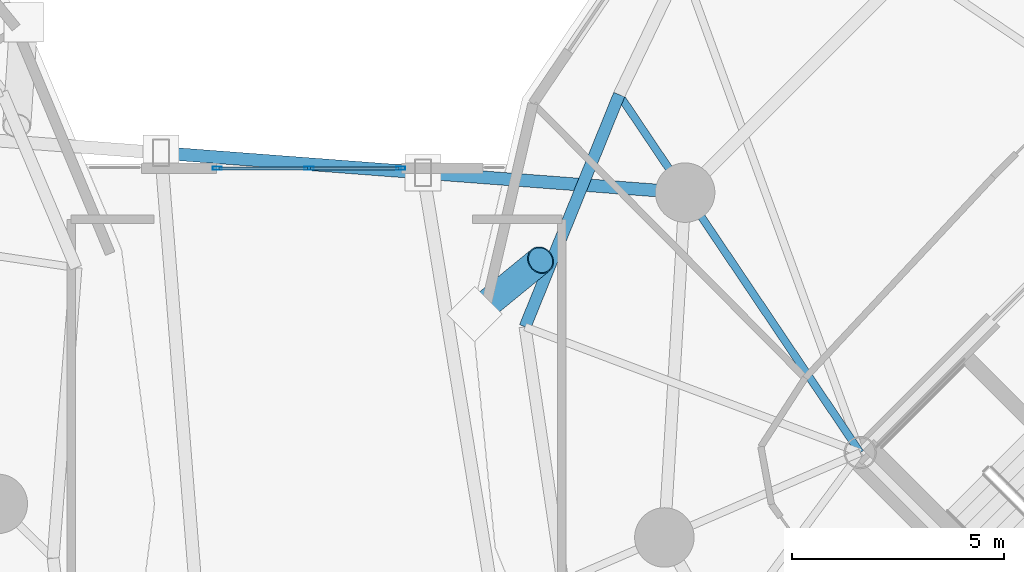
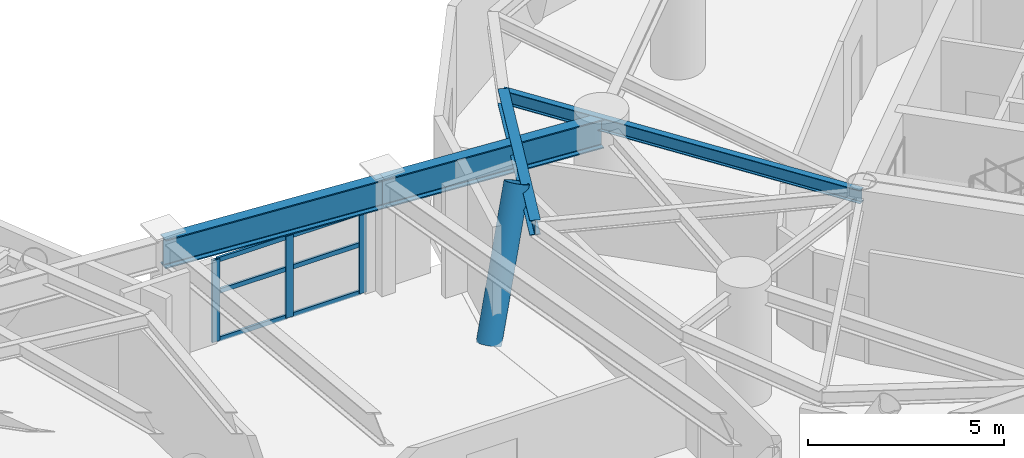
# One storey, part 6 of 20: 10 members, 4 beams, 1 element without a shape of its own.
"""IFC4 building model written with IfcOpenShell, lengths in metres."""

from ifc_helpers import new_model, si_unit, direction, frame, origin, origin_2d, place, context, subcontext, project, spatial, hollow_rectangle, hollow_circle, i_section, extrude, material, layer, layer_set, material_profile, profile_set, type_object, element, aggregate, save


model = new_model("IFC4")

# Units and contexts
model_context = context("Model", 3, precision=1e-05, world=origin(), true_north=direction((0.0, 1.0)))
body_context = subcontext(model_context, "Body", "Model", "MODEL_VIEW")
ifc_project = project(units=[si_unit("LENGTHUNIT", "METRE"), si_unit("AREAUNIT", "SQUARE_METRE"), si_unit("VOLUMEUNIT", "CUBIC_METRE"), si_unit("PLANEANGLEUNIT", "RADIAN"), si_unit("MASSUNIT", "GRAM", prefix="KILO")], contexts=[model_context])

# Site, building, storey
site_placement = place(None, origin())
site = spatial("IfcSite", under=ifc_project, at=site_placement, CompositionType="ELEMENT")
building_placement = place(site_placement, origin())
building = spatial("IfcBuilding", under=site, at=building_placement, Name="Cununo Teusaquillo Station Towers", CompositionType="ELEMENT")
storey_placement = place(building_placement, frame((0.0, 0.0, 140.320068359375)))
storey = spatial("IfcBuildingStorey", under=building, at=storey_placement, Name="L44", CompositionType="ELEMENT", Elevation=140.320068359375)

# Beams
ifc_material_1 = material(Name="Steel EN 10025-2 S355J2", Category="steel")
ifc_material_profile_1 = material_profile(ifc_material_1, i_section(OverallWidth=0.300048828125, OverallDepth=0.89990234375, WebThickness=0.0185546875, FlangeThickness=0.034912109375, FilletRadius=0.027099609375, at=origin_2d()), Name="HEB 900")
ifc_profile_set_1 = profile_set([ifc_material_profile_1], Name="Steel EN 10025-2 S355J2")
beam_type_1 = type_object("IfcBeamType", Name="BM-BRG-CH2", PredefinedType="BEAM", material=ifc_profile_set_1)
beam_1_placement = place(storey_placement, frame((32.51611328125, 32.761474609375, 3.02001953125), z_axis=(0.997143183449, -0.075534572886, 0.0), x_axis=(0.075534572886, 0.997143183449, 0.0)))
element("IfcBeam", 1, at=beam_1_placement, inside=storey, type_object=beam_type_1, Name="L44 Mid-Bridge Chord N2", PredefinedType="BEAM", context=body_context, shape_type="SweptSolid", body=[
    extrude(i_section(OverallWidth=0.300048828125, OverallDepth=0.89990234375, WebThickness=0.0185546875, FlangeThickness=0.034912109375, FilletRadius=0.027099609375, at=origin_2d()), origin(), (0.0, 0.0, 1.0), 6.186279296875),
])
beam_2_placement = place(storey_placement, frame((38.684814453125, 32.294189453125, 3.02001953125), z_axis=(0.997143408598, -0.075531600604, 0.0), x_axis=(0.075531600604, 0.997143408598, 0.0)))
element("IfcBeam", 2, at=beam_2_placement, inside=storey, type_object=beam_type_1, Name="L44 Mid-Bridge Chord N3", PredefinedType="BEAM", context=body_context, shape_type="SweptSolid", body=[
    extrude(i_section(OverallWidth=0.300048828125, OverallDepth=0.89990234375, WebThickness=0.0185546875, FlangeThickness=0.034912109375, FilletRadius=0.027099609375, at=origin_2d()), origin(), (0.0, 0.0, 1.0), 6.1865234375),
])
ifc_material_2 = material(Name="Steel ASTM A572 Grade 50", Category="steel")
ifc_material_profile_2 = material_profile(ifc_material_2, i_section(OverallWidth=0.180908203125, OverallDepth=0.4169921875, WebThickness=0.010986328125, FlangeThickness=0.018310546875, FilletRadius=0.012939453125, at=origin_2d()), Name="W16X57")
ifc_profile_set_2 = profile_set([ifc_material_profile_2], Name="Steel ASTM A572 Grade 50")
beam_type_2 = type_object("IfcBeamType", Name="BM-RAD-G2", PredefinedType="BEAM", material=ifc_profile_set_2)
beam_3_placement = place(storey_placement, frame((48.975830078125, 25.70556640625, 3.271484375), z_axis=(-0.558570687133, 0.829456923219, 0.0), x_axis=(-0.829456923219, -0.558570687133, 0.0)))
element("IfcBeam", 3, at=beam_3_placement, inside=storey, type_object=beam_type_2, Name="L44 Tower B Continuous Overhanging Radial Girder 04", PredefinedType="BEAM", context=body_context, shape_type="SweptSolid", body=[
    extrude(i_section(OverallWidth=0.180908203125, OverallDepth=0.4169921875, WebThickness=0.010986328125, FlangeThickness=0.018310546875, FilletRadius=0.012939453125, at=origin_2d()), origin(), (0.0, 0.0, 1.0), 10.1591796875),
])
ifc_material_3 = material(Name="Steel ASTM A572 Grade 50", Category="steel")
ifc_material_profile_3 = material_profile(ifc_material_3, i_section(OverallWidth=0.280029296875, OverallDepth=0.462890625, WebThickness=0.0107421875, FlangeThickness=0.017333984375, FilletRadius=0.013916015625, at=origin_2d()), Name="W18X76")
ifc_profile_set_3 = profile_set([ifc_material_profile_3], Name="Steel ASTM A572 Grade 50")
beam_type_3 = type_object("IfcBeamType", Name="BM-RING-Z2", PredefinedType="SPANDREL", material=ifc_profile_set_3)
beam_4_placement = place(storey_placement, frame((43.30126953125, 34.132080078125, 3.24853515625), z_axis=(-0.375882869104, -0.926667183359, 0.0), x_axis=(0.926667183359, -0.375882869104, 0.0)))
element("IfcBeam", 4, at=beam_4_placement, inside=storey, type_object=beam_type_3, Name="L44 Tower B Spandrel Ring Beam 07", PredefinedType="SPANDREL", context=body_context, shape_type="SweptSolid", body=[
    extrude(i_section(OverallWidth=0.280029296875, OverallDepth=0.462890625, WebThickness=0.0107421875, FlangeThickness=0.017333984375, FilletRadius=0.013916015625, at=origin_2d()), origin(), (0.0, 0.0, 1.0), 5.8974609375),
])

# Curtain wall, members
ifc_material_4 = material(Name="Ceramic-fritted dark low-E double glazing", Category="glass")
ifc_layer = layer(ifc_material_4, 0.179931640625)
ifc_layer_set = layer_set([ifc_layer], Name="Ceramic-fritted dark low-E double glazing")
curtain_wall_type = type_object("IfcCurtainWallType", Name="CW-SYS-05", PredefinedType="USERDEFINED", material=ifc_layer_set)
curtain_wall_placement = place(storey_placement, origin())
curtain_wall = element("IfcCurtainWall", 5, at=curtain_wall_placement, inside=storey, type_object=curtain_wall_type, Name="L44 Mid-Bridge N Observation Curtain Wall", ObjectType="FRITTED GLAZING", PredefinedType="USERDEFINED")
ifc_material_5 = material(Name="Anodised dark bronze aluminium EN AW-6063-T6", Category="aluminium")
ifc_material_profile_4 = material_profile(ifc_material_5, hollow_rectangle(XDim=0.080078125, YDim=0.219970703125, WallThickness=0.0048828125, at=origin_2d()), Name="CW-MULL-80x220")
ifc_profile_set_4 = profile_set([ifc_material_profile_4], Name="Anodised dark bronze aluminium EN AW-6063-T6")
member_type_1 = type_object("IfcMemberType", Name="CWM-220", PredefinedType="MULLION", material=ifc_profile_set_4)
member_1_placement = place(storey_placement, frame((33.840087890625, 32.39990234375, 0.0), z_axis=(0.0, 0.0, 1.0), x_axis=(0.0, 1.0, 0.0)))
member_1 = element("IfcMember", 6, at=member_1_placement, type_object=member_type_1, Name="CW-05 mullion 1", PredefinedType="MULLION", context=body_context, shape_type="SweptSolid", body=[
    extrude(hollow_rectangle(XDim=0.080078125, YDim=0.219970703125, WallThickness=0.0048828125, at=origin_2d()), origin(), (0.0, 0.0, 1.0), 2.5419921875),
])
member_2_placement = place(storey_placement, frame((36.0, 32.39990234375, 0.0), z_axis=(0.0, 0.0, 1.0), x_axis=(0.0, 1.0, 0.0)))
member_2 = element("IfcMember", 7, at=member_2_placement, type_object=member_type_1, Name="CW-05 mullion 2", PredefinedType="MULLION", context=body_context, shape_type="SweptSolid", body=[
    extrude(hollow_rectangle(XDim=0.080078125, YDim=0.219970703125, WallThickness=0.0048828125, at=origin_2d()), origin(), (0.0, 0.0, 1.0), 2.5419921875),
])
member_3_placement = place(storey_placement, frame((38.159912109375, 32.39990234375, 0.0), z_axis=(0.0, 0.0, 1.0), x_axis=(0.0, 1.0, 0.0)))
member_3 = element("IfcMember", 8, at=member_3_placement, type_object=member_type_1, Name="CW-05 mullion 3", PredefinedType="MULLION", context=body_context, shape_type="SweptSolid", body=[
    extrude(hollow_rectangle(XDim=0.080078125, YDim=0.219970703125, WallThickness=0.0048828125, at=origin_2d()), origin(), (0.0, 0.0, 1.0), 2.5419921875),
])
ifc_material_6 = material(Name="Anodised dark bronze aluminium EN AW-6063-T6", Category="aluminium")
ifc_material_profile_5 = material_profile(ifc_material_6, hollow_rectangle(XDim=0.070068359375, YDim=0.139892578125, WallThickness=0.00390625, at=origin_2d()), Name="CW-TRAN-70x140")
ifc_profile_set_5 = profile_set([ifc_material_profile_5], Name="Anodised dark bronze aluminium EN AW-6063-T6")
member_type_2 = type_object("IfcMemberType", Name="CWT-140", PredefinedType="USERDEFINED", material=ifc_profile_set_5)
member_4_placement = place(storey_placement, frame((33.8798828125, 32.39990234375, 0.034912109375), z_axis=(1.0, 0.0, 0.0), x_axis=(0.0, 1.0, 0.0)))
member_4 = element("IfcMember", 9, at=member_4_placement, type_object=member_type_2, Name="CW-05 transom 1.1", ObjectType="TRANSOM", PredefinedType="USERDEFINED", context=body_context, shape_type="SweptSolid", body=[
    extrude(hollow_rectangle(XDim=0.070068359375, YDim=0.139892578125, WallThickness=0.00390625, at=origin_2d()), origin(), (0.0, 0.0, 1.0), 2.080078125),
])
member_5_placement = place(storey_placement, frame((33.8798828125, 32.39990234375, 1.52490234375), z_axis=(1.0, 0.0, 0.0), x_axis=(0.0, 1.0, 0.0)))
member_5 = element("IfcMember", 10, at=member_5_placement, type_object=member_type_2, Name="CW-05 transom 1.2", ObjectType="TRANSOM", PredefinedType="USERDEFINED", context=body_context, shape_type="SweptSolid", body=[
    extrude(hollow_rectangle(XDim=0.070068359375, YDim=0.139892578125, WallThickness=0.00390625, at=origin_2d()), origin(), (0.0, 0.0, 1.0), 2.080078125),
])
member_6_placement = place(storey_placement, frame((33.8798828125, 32.39990234375, 2.5068359375), z_axis=(1.0, 0.0, 0.0), x_axis=(0.0, 1.0, 0.0)))
member_6 = element("IfcMember", 11, at=member_6_placement, type_object=member_type_2, Name="CW-05 transom 1.3", ObjectType="TRANSOM", PredefinedType="USERDEFINED", context=body_context, shape_type="SweptSolid", body=[
    extrude(hollow_rectangle(XDim=0.070068359375, YDim=0.139892578125, WallThickness=0.00390625, at=origin_2d()), origin(), (0.0, 0.0, 1.0), 2.080078125),
])
member_7_placement = place(storey_placement, frame((36.0400390625, 32.39990234375, 0.034912109375), z_axis=(1.0, 0.0, 0.0), x_axis=(0.0, 1.0, 0.0)))
member_7 = element("IfcMember", 12, at=member_7_placement, type_object=member_type_2, Name="CW-05 transom 2.1", ObjectType="TRANSOM", PredefinedType="USERDEFINED", context=body_context, shape_type="SweptSolid", body=[
    extrude(hollow_rectangle(XDim=0.070068359375, YDim=0.139892578125, WallThickness=0.00390625, at=origin_2d()), origin(), (0.0, 0.0, 1.0), 2.080078125),
])
member_8_placement = place(storey_placement, frame((36.0400390625, 32.39990234375, 1.52490234375), z_axis=(1.0, 0.0, 0.0), x_axis=(0.0, 1.0, 0.0)))
member_8 = element("IfcMember", 13, at=member_8_placement, type_object=member_type_2, Name="CW-05 transom 2.2", ObjectType="TRANSOM", PredefinedType="USERDEFINED", context=body_context, shape_type="SweptSolid", body=[
    extrude(hollow_rectangle(XDim=0.070068359375, YDim=0.139892578125, WallThickness=0.00390625, at=origin_2d()), origin(), (0.0, 0.0, 1.0), 2.080078125),
])
member_9_placement = place(storey_placement, frame((36.0400390625, 32.39990234375, 2.5068359375), z_axis=(1.0, 0.0, 0.0), x_axis=(0.0, 1.0, 0.0)))
member_9 = element("IfcMember", 14, at=member_9_placement, type_object=member_type_2, Name="CW-05 transom 2.3", ObjectType="TRANSOM", PredefinedType="USERDEFINED", context=body_context, shape_type="SweptSolid", body=[
    extrude(hollow_rectangle(XDim=0.070068359375, YDim=0.139892578125, WallThickness=0.00390625, at=origin_2d()), origin(), (0.0, 0.0, 1.0), 2.080078125),
])
aggregate(curtain_wall, [member_1, member_2, member_3, member_4, member_5, member_6, member_7, member_8, member_9])

# Member
ifc_material_7 = material(Name="Steel EN 10025-2 S355J2", Category="steel")
ifc_material_profile_6 = material_profile(ifc_material_7, hollow_circle(Radius=0.330078125, WallThickness=0.02490234375, at=origin_2d()), Name="CHS 660x25")
ifc_profile_set_6 = profile_set([ifc_material_profile_6], Name="Steel EN 10025-2 S355J2")
member_type_3 = type_object("IfcMemberType", Name="MBR-DIAG-Z2", PredefinedType="BRACE", material=ifc_profile_set_6)
member_10_placement = place(storey_placement, frame((39.897705078125, 28.9677734375, -0.14013671875), z_axis=(0.367349271692, 0.300453461561, 0.880217149358), x_axis=(-0.633105206362, 0.77406575798, 0.0)))
element("IfcMember", 15, at=member_10_placement, inside=storey, type_object=member_type_3, Name="L44 Tower B Folded-Zigzag Diagrid Tube C06", PredefinedType="BRACE", context=body_context, shape_type="SweptSolid", body=[
    extrude(hollow_circle(Radius=0.330078125, WallThickness=0.02490234375, at=origin_2d()), origin(), (0.0, 0.0, 1.0), 4.226318359375),
])

save(model, "model.ifc")
